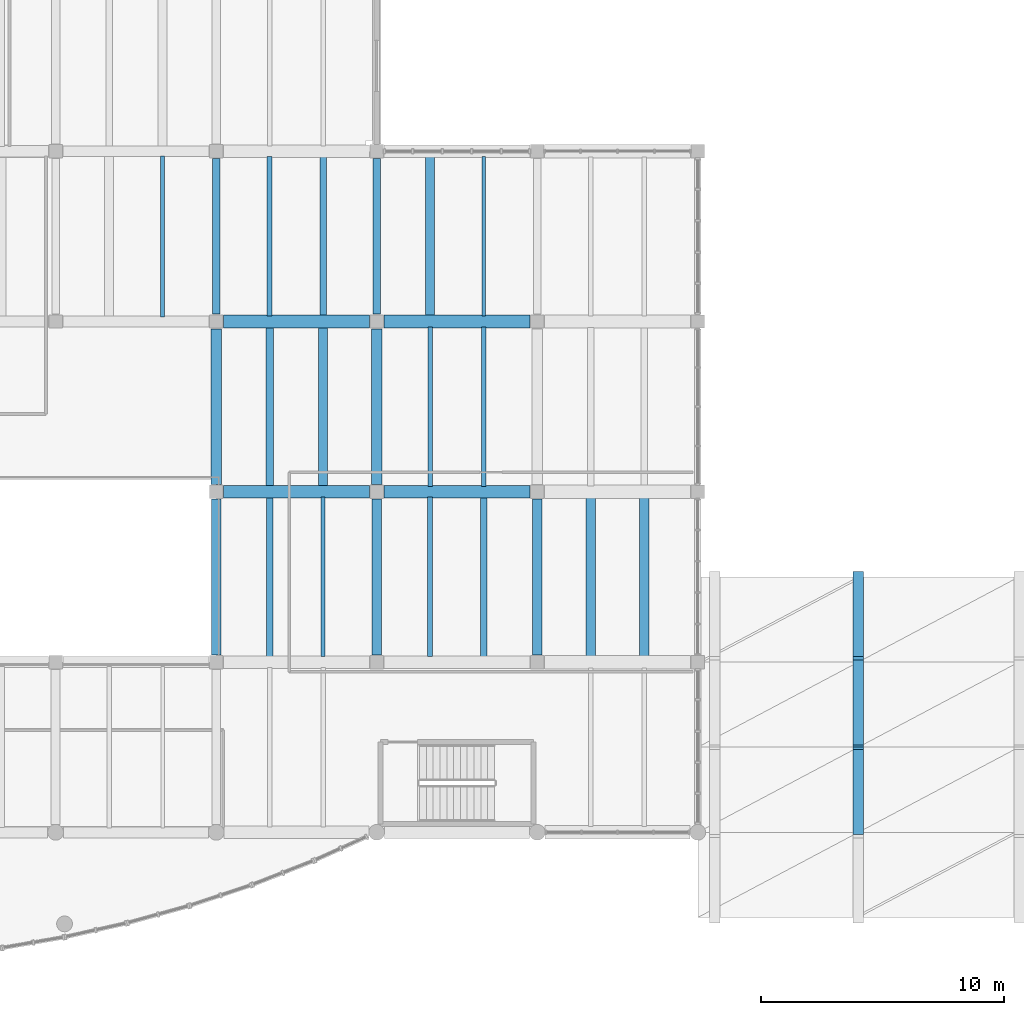
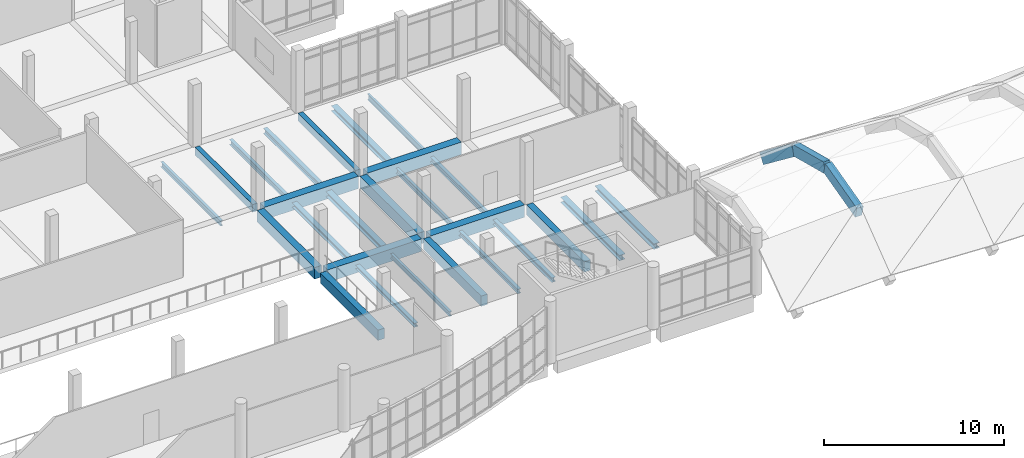
# One storey, part 14 of 65: 29 beams.
"""IFC4 building model written with IfcOpenShell, lengths in metres."""

from ifc_helpers import new_model, si_unit, direction, frame, origin, origin_2d, place, context, subcontext, project, spatial, rectangle, i_section, extrude, material, material_profile, profile_set, type_object, element, save


model = new_model("IFC4")

# Units and contexts
model_context = context("Model", 3, precision=1e-05, world=origin(), true_north=direction((0.0, 1.0)))
body_context = subcontext(model_context, "Body", "Model", "MODEL_VIEW")
ifc_project = project(units=[si_unit("LENGTHUNIT", "METRE"), si_unit("AREAUNIT", "SQUARE_METRE"), si_unit("VOLUMEUNIT", "CUBIC_METRE"), si_unit("PLANEANGLEUNIT", "RADIAN"), si_unit("MASSUNIT", "GRAM", prefix="KILO")], contexts=[model_context])

# Site, building, storey
site_placement = place(None, origin())
site = spatial("IfcSite", under=ifc_project, at=site_placement, CompositionType="ELEMENT")
building_placement = place(site_placement, origin())
building = spatial("IfcBuilding", under=site, at=building_placement, Name="Ciguamira Faculty of Natural Sciences", CompositionType="ELEMENT")
storey_placement = place(building_placement, frame((0.0, 0.0, 12.60009765625)))
storey = spatial("IfcBuildingStorey", under=building, at=storey_placement, Name="L03", CompositionType="ELEMENT", Elevation=12.60009765625)

# Beams
ifc_material_1 = material(Name="Concrete C40/50", Category="concrete")
ifc_material_profile_1 = material_profile(ifc_material_1, rectangle(XDim=0.43994140625, YDim=0.780029296875, at=origin_2d()), Name="RC-BM-440X780")
ifc_profile_set_1 = profile_set([ifc_material_profile_1], Name="Concrete C40/50")
beam_type_1 = type_object("IfcBeamType", Name="RCBeam_BG-06_RC-BM-440X780", PredefinedType="BEAM", material=ifc_profile_set_1)
for number, where, z_axis, x_axis, name in (
    (1, (103.5, 24.300048828125, -0.39013671875), (0.0, 1.0, 0.0), (-1.0, 0.0, 0.0), "L03 girder NS-1285"),
    (2, (110.10009765625, 24.300048828125, -0.39013671875), (0.0, 1.0, 0.0), (-1.0, 0.0, 0.0), "L03 girder NS-1295"),
):
    element("IfcBeam", number, at=place(storey_placement, frame(where, z_axis=z_axis, x_axis=x_axis)), inside=storey, type_object=beam_type_1, Name=name, PredefinedType="BEAM", context=body_context, shape_type="SweptSolid", body=[
        extrude(rectangle(XDim=0.43994140625, YDim=0.780029296875, at=origin_2d()), origin(), (0.0, 0.0, 1.0), 6.39990234375),
    ])
ifc_material_profile_2 = material_profile(ifc_material_1, rectangle(XDim=0.419921875, YDim=0.739990234375, at=origin_2d()), Name="RC-BM-420X740")
ifc_profile_set_2 = profile_set([ifc_material_profile_2], Name="Concrete C40/50")
beam_type_2 = type_object("IfcBeamType", Name="RCBeam_BG-07_RC-BM-420X740", PredefinedType="BEAM", material=ifc_profile_set_2)
for number, where, z_axis, x_axis, name in (
    (3, (129.89990234375, 10.0, 3.131591796875), (0.0, 0.967910580075, 0.251294864609), (-1.0, 0.0, 0.0), "V1 shell RC arch rib 02-03"),
    (4, (129.89990234375, 13.5, 4.040283203125), (0.0, 0.967910580075, -0.251294864609), (-1.0, 0.0, 0.0), "V1 shell RC arch rib 02-04"),
):
    element("IfcBeam", number, at=place(storey_placement, frame(where, z_axis=z_axis, x_axis=x_axis)), inside=storey, type_object=beam_type_2, Name=name, PredefinedType="BEAM", context=body_context, shape_type="SweptSolid", body=[
        extrude(rectangle(XDim=0.419921875, YDim=0.739990234375, at=origin_2d()), origin(), (0.0, 0.0, 1.0), 3.615966796875),
    ])
beam_1_placement = place(storey_placement, frame((129.89990234375, 17.0, 3.131591796875), z_axis=(0.0, 0.793764962208, -0.608224617038), x_axis=(-1.0, 0.0, 0.0)))
element("IfcBeam", 5, at=beam_1_placement, inside=storey, type_object=beam_type_2, Name="V1 shell RC arch rib 02-05", PredefinedType="BEAM", context=body_context, shape_type="SweptSolid", body=[
    extrude(rectangle(XDim=0.419921875, YDim=0.739990234375, at=origin_2d()), origin(), (0.0, 0.0, 1.0), 4.409423828125),
])
ifc_material_profile_3 = material_profile(ifc_material_1, rectangle(XDim=0.39990234375, YDim=0.699951171875, at=origin_2d()), Name="RC-BM-400X700")
ifc_profile_set_3 = profile_set([ifc_material_profile_3], Name="Concrete C40/50")
beam_type_3 = type_object("IfcBeamType", Name="RCBeam_BG-08_RC-BM-400X700", PredefinedType="BEAM", material=ifc_profile_set_3)
for number, where, z_axis, x_axis, name in (
    (6, (103.5, 17.300048828125, -0.35009765625), (0.0, 1.0, 0.0), (-1.0, 0.0, 0.0), "L03 girder NS-1284"),
    (7, (110.10009765625, 17.300048828125, -0.35009765625), (0.0, 1.0, 0.0), (-1.0, 0.0, 0.0), "L03 girder NS-1294"),
    (8, (116.699951171875, 17.300048828125, -0.35009765625), (0.0, 1.0, 0.0), (-1.0, 0.0, 0.0), "L03 girder NS-1307"),
):
    element("IfcBeam", number, at=place(storey_placement, frame(where, z_axis=z_axis, x_axis=x_axis)), inside=storey, type_object=beam_type_3, Name=name, PredefinedType="BEAM", context=body_context, shape_type="SweptSolid", body=[
        extrude(rectangle(XDim=0.39990234375, YDim=0.699951171875, at=origin_2d()), origin(), (0.0, 0.0, 1.0), 6.39990234375),
    ])
ifc_material_profile_4 = material_profile(ifc_material_1, rectangle(XDim=0.300048828125, YDim=0.52001953125, at=origin_2d()), Name="RC-BM-300X520")
ifc_profile_set_4 = profile_set([ifc_material_profile_4], Name="Concrete C40/50")
beam_type_4 = type_object("IfcBeamType", Name="RCBeam_BG-13_RC-BM-300X520", PredefinedType="BEAM", material=ifc_profile_set_4)
for number, where, z_axis, x_axis, name in (
    (9, (103.5, 31.300048828125, -0.260009765625), (0.0, 1.0, 0.0), (-1.0, 0.0, 0.0), "L03 girder NS-1286"),
    (10, (110.10009765625, 31.300048828125, -0.260009765625), (0.0, 1.0, 0.0), (-1.0, 0.0, 0.0), "L03 girder NS-1296"),
):
    element("IfcBeam", number, at=place(storey_placement, frame(where, z_axis=z_axis, x_axis=x_axis)), inside=storey, type_object=beam_type_4, Name=name, PredefinedType="BEAM", context=body_context, shape_type="SweptSolid", body=[
        extrude(rectangle(XDim=0.300048828125, YDim=0.52001953125, at=origin_2d()), origin(), (0.0, 0.0, 1.0), 6.39990234375),
    ])
ifc_material_profile_5 = material_profile(ifc_material_1, rectangle(XDim=0.52001953125, YDim=0.840087890625, at=origin_2d()), Name="RC-TB-520X840")
ifc_profile_set_5 = profile_set([ifc_material_profile_5], Name="Concrete C40/50")
beam_type_5 = type_object("IfcBeamType", Name="RCBeam_TB-02_RC-TB-520X840", PredefinedType="T_BEAM", material=ifc_profile_set_5)
for number, where, z_axis, x_axis, name in (
    (11, (103.800048828125, 24.0, -0.420166015625), (1.0, 0.0, 0.0), (0.0, 1.0, 0.0), "L03 RC girder EW-1066"),
    (12, (110.39990234375, 24.0, -0.420166015625), (1.0, 0.0, 0.0), (0.0, 1.0, 0.0), "L03 RC girder EW-1067"),
    (13, (103.800048828125, 31.0, -0.420166015625), (1.0, 0.0, 0.0), (0.0, 1.0, 0.0), "L03 RC girder EW-1077"),
    (14, (110.39990234375, 31.0, -0.420166015625), (1.0, 0.0, 0.0), (0.0, 1.0, 0.0), "L03 RC girder EW-1078"),
):
    element("IfcBeam", number, at=place(storey_placement, frame(where, z_axis=z_axis, x_axis=x_axis)), inside=storey, type_object=beam_type_5, Name=name, PredefinedType="T_BEAM", context=body_context, shape_type="SweptSolid", body=[
        extrude(rectangle(XDim=0.52001953125, YDim=0.840087890625, at=origin_2d()), origin(), (0.0, 0.0, 1.0), 6.0),
    ])
ifc_material_2 = material(Name="Steel ASTM A992 Grade 50", Category="steel")
ifc_material_profile_6 = material_profile(ifc_material_2, i_section(OverallWidth=0.25390625, OverallDepth=0.25390625, WebThickness=0.008544921875, FlangeThickness=0.01416015625, at=origin_2d()), Name="W10X49")
ifc_profile_set_6 = profile_set([ifc_material_profile_6], Name="Steel ASTM A992 Grade 50")
beam_type_6 = type_object("IfcBeamType", Name="SteelJoist_SJ-03_W10X49", PredefinedType="JOIST", material=ifc_profile_set_6)
beam_2_placement = place(storey_placement, frame((105.699951171875, 17.219970703125, -0.427001953125), z_axis=(0.0, 1.0, 0.0), x_axis=(-1.0, 0.0, 0.0)))
element("IfcBeam", 15, at=beam_2_placement, inside=storey, type_object=beam_type_6, Name="L03 composite steel joist 01206", PredefinedType="JOIST", context=body_context, shape_type="SweptSolid", body=[
    extrude(i_section(OverallWidth=0.25390625, OverallDepth=0.25390625, WebThickness=0.008544921875, FlangeThickness=0.01416015625, at=origin_2d()), origin(), (0.0, 0.0, 1.0), 6.56005859375),
])
ifc_material_profile_7 = material_profile(ifc_material_2, i_section(OverallWidth=0.164794921875, OverallDepth=0.309814453125, WebThickness=0.005859375, FlangeThickness=0.009765625, at=origin_2d()), Name="W12X26")
ifc_profile_set_7 = profile_set([ifc_material_profile_7], Name="Steel ASTM A992 Grade 50")
beam_type_7 = type_object("IfcBeamType", Name="SteelJoist_SJ-04_W12X26", PredefinedType="JOIST", material=ifc_profile_set_7)
beam_3_placement = place(storey_placement, frame((107.89990234375, 17.219970703125, -0.455078125), z_axis=(0.0, 1.0, 0.0), x_axis=(-1.0, 0.0, 0.0)))
element("IfcBeam", 16, at=beam_3_placement, inside=storey, type_object=beam_type_7, Name="L03 composite steel joist 01207", PredefinedType="JOIST", context=body_context, shape_type="SweptSolid", body=[
    extrude(i_section(OverallWidth=0.164794921875, OverallDepth=0.309814453125, WebThickness=0.005859375, FlangeThickness=0.009765625, at=origin_2d()), origin(), (0.0, 0.0, 1.0), 6.56005859375),
])
ifc_material_profile_8 = material_profile(ifc_material_2, i_section(OverallWidth=0.20458984375, OverallDepth=0.307373046875, WebThickness=0.008544921875, FlangeThickness=0.0146484375, at=origin_2d()), Name="W12X45")
ifc_profile_set_8 = profile_set([ifc_material_profile_8], Name="Steel ASTM A992 Grade 50")
beam_type_8 = type_object("IfcBeamType", Name="SteelJoist_SJ-06_W12X45", PredefinedType="JOIST", material=ifc_profile_set_8)
beam_4_placement = place(storey_placement, frame((112.300048828125, 17.219970703125, -0.453857421875), z_axis=(0.0, 1.0, 0.0), x_axis=(-1.0, 0.0, 0.0)))
element("IfcBeam", 17, at=beam_4_placement, inside=storey, type_object=beam_type_8, Name="L03 composite steel joist 01231", PredefinedType="JOIST", context=body_context, shape_type="SweptSolid", body=[
    extrude(i_section(OverallWidth=0.20458984375, OverallDepth=0.307373046875, WebThickness=0.008544921875, FlangeThickness=0.0146484375, at=origin_2d()), origin(), (0.0, 0.0, 1.0), 6.56005859375),
])
ifc_material_profile_9 = material_profile(ifc_material_2, i_section(OverallWidth=0.25390625, OverallDepth=0.307373046875, WebThickness=0.0087890625, FlangeThickness=0.0146484375, at=origin_2d()), Name="W12X53")
ifc_profile_set_9 = profile_set([ifc_material_profile_9], Name="Steel ASTM A992 Grade 50")
beam_type_9 = type_object("IfcBeamType", Name="SteelJoist_SJ-07_W12X53", PredefinedType="JOIST", material=ifc_profile_set_9)
beam_5_placement = place(storey_placement, frame((114.5, 17.219970703125, -0.453857421875), z_axis=(0.0, 1.0, 0.0), x_axis=(-1.0, 0.0, 0.0)))
element("IfcBeam", 18, at=beam_5_placement, inside=storey, type_object=beam_type_9, Name="L03 composite steel joist 01232", PredefinedType="JOIST", context=body_context, shape_type="SweptSolid", body=[
    extrude(i_section(OverallWidth=0.25390625, OverallDepth=0.307373046875, WebThickness=0.0087890625, FlangeThickness=0.0146484375, at=origin_2d()), origin(), (0.0, 0.0, 1.0), 6.56005859375),
])
ifc_material_profile_10 = material_profile(ifc_material_2, i_section(OverallWidth=0.3046875, OverallDepth=0.307373046875, WebThickness=0.010009765625, FlangeThickness=0.015380859375, at=origin_2d()), Name="W12X65")
ifc_profile_set_10 = profile_set([ifc_material_profile_10], Name="Steel ASTM A992 Grade 50")
beam_type_10 = type_object("IfcBeamType", Name="SteelJoist_SJ-08_W12X65", PredefinedType="JOIST", material=ifc_profile_set_10)
beam_6_placement = place(storey_placement, frame((105.699951171875, 24.219970703125, -0.453857421875), z_axis=(0.0, 1.0, 0.0), x_axis=(-1.0, 0.0, 0.0)))
element("IfcBeam", 19, at=beam_6_placement, inside=storey, type_object=beam_type_10, Name="L03 composite steel joist 01208", PredefinedType="JOIST", context=body_context, shape_type="SweptSolid", body=[
    extrude(i_section(OverallWidth=0.3046875, OverallDepth=0.307373046875, WebThickness=0.010009765625, FlangeThickness=0.015380859375, at=origin_2d()), origin(), (0.0, 0.0, 1.0), 6.56005859375),
])
ifc_material_profile_11 = material_profile(ifc_material_2, i_section(OverallWidth=0.370849609375, OverallDepth=0.36328125, WebThickness=0.013427734375, FlangeThickness=0.021728515625, at=origin_2d()), Name="W14X109")
ifc_profile_set_11 = profile_set([ifc_material_profile_11], Name="Steel ASTM A992 Grade 50")
beam_type_11 = type_object("IfcBeamType", Name="SteelJoist_SJ-09_W14X109", PredefinedType="JOIST", material=ifc_profile_set_11)
beam_7_placement = place(storey_placement, frame((107.89990234375, 24.219970703125, -0.481689453125), z_axis=(0.0, 1.0, 0.0), x_axis=(-1.0, 0.0, 0.0)))
element("IfcBeam", 20, at=beam_7_placement, inside=storey, type_object=beam_type_11, Name="L03 composite steel joist 01209", PredefinedType="JOIST", context=body_context, shape_type="SweptSolid", body=[
    extrude(i_section(OverallWidth=0.370849609375, OverallDepth=0.36328125, WebThickness=0.013427734375, FlangeThickness=0.021728515625, at=origin_2d()), origin(), (0.0, 0.0, 1.0), 6.56005859375),
])
beam_8_placement = place(storey_placement, frame((118.89990234375, 17.235107421875, -0.481689453125), z_axis=(0.0, 1.0, 0.0), x_axis=(-1.0, 0.0, 0.0)))
element("IfcBeam", 21, at=beam_8_placement, inside=storey, type_object=beam_type_11, Name="L03 composite steel joist 01263", PredefinedType="JOIST", context=body_context, shape_type="SweptSolid", body=[
    extrude(i_section(OverallWidth=0.370849609375, OverallDepth=0.36328125, WebThickness=0.013427734375, FlangeThickness=0.021728515625, at=origin_2d()), origin(), (0.0, 0.0, 1.0), 6.52978515625),
])
ifc_material_profile_12 = material_profile(ifc_material_2, i_section(OverallWidth=0.373291015625, OverallDepth=0.373291015625, WebThickness=0.016357421875, FlangeThickness=0.026123046875, at=origin_2d()), Name="W14X132")
ifc_profile_set_12 = profile_set([ifc_material_profile_12], Name="Steel ASTM A992 Grade 50")
beam_type_12 = type_object("IfcBeamType", Name="SteelJoist_SJ-10_W14X132", PredefinedType="JOIST", material=ifc_profile_set_12)
beam_9_placement = place(storey_placement, frame((121.10009765625, 17.235107421875, -0.48681640625), z_axis=(0.0, 1.0, 0.0), x_axis=(-1.0, 0.0, 0.0)))
element("IfcBeam", 22, at=beam_9_placement, inside=storey, type_object=beam_type_12, Name="L03 composite steel joist 01264", PredefinedType="JOIST", context=body_context, shape_type="SweptSolid", body=[
    extrude(i_section(OverallWidth=0.373291015625, OverallDepth=0.373291015625, WebThickness=0.016357421875, FlangeThickness=0.026123046875, at=origin_2d()), origin(), (0.0, 0.0, 1.0), 6.52978515625),
])
ifc_material_profile_13 = material_profile(ifc_material_2, i_section(OverallWidth=0.1708984375, OverallDepth=0.3505859375, WebThickness=0.0068359375, FlangeThickness=0.009765625, at=origin_2d()), Name="W14X30")
ifc_profile_set_13 = profile_set([ifc_material_profile_13], Name="Steel ASTM A992 Grade 50")
beam_type_13 = type_object("IfcBeamType", Name="SteelJoist_SJ-11_W14X30", PredefinedType="JOIST", material=ifc_profile_set_13)
beam_10_placement = place(storey_placement, frame((101.300048828125, 31.18505859375, -0.475341796875), z_axis=(0.0, 1.0, 0.0), x_axis=(-1.0, 0.0, 0.0)))
element("IfcBeam", 23, at=beam_10_placement, inside=storey, type_object=beam_type_13, Name="L03 composite steel joist 01182", PredefinedType="JOIST", context=body_context, shape_type="SweptSolid", body=[
    extrude(i_section(OverallWidth=0.1708984375, OverallDepth=0.3505859375, WebThickness=0.0068359375, FlangeThickness=0.009765625, at=origin_2d()), origin(), (0.0, 0.0, 1.0), 6.6298828125),
])
beam_11_placement = place(storey_placement, frame((112.300048828125, 24.219970703125, -0.475341796875), z_axis=(0.0, 1.0, 0.0), x_axis=(-1.0, 0.0, 0.0)))
element("IfcBeam", 24, at=beam_11_placement, inside=storey, type_object=beam_type_13, Name="L03 composite steel joist 01233", PredefinedType="JOIST", context=body_context, shape_type="SweptSolid", body=[
    extrude(i_section(OverallWidth=0.1708984375, OverallDepth=0.3505859375, WebThickness=0.0068359375, FlangeThickness=0.009765625, at=origin_2d()), origin(), (0.0, 0.0, 1.0), 6.56005859375),
])
ifc_material_profile_14 = material_profile(ifc_material_2, i_section(OverallWidth=0.203125, OverallDepth=0.347900390625, WebThickness=0.0078125, FlangeThickness=0.013427734375, at=origin_2d()), Name="W14X43")
ifc_profile_set_14 = profile_set([ifc_material_profile_14], Name="Steel ASTM A992 Grade 50")
beam_type_14 = type_object("IfcBeamType", Name="SteelJoist_SJ-12_W14X43", PredefinedType="JOIST", material=ifc_profile_set_14)
beam_12_placement = place(storey_placement, frame((114.5, 24.219970703125, -0.47412109375), z_axis=(0.0, 1.0, 0.0), x_axis=(-1.0, 0.0, 0.0)))
element("IfcBeam", 25, at=beam_12_placement, inside=storey, type_object=beam_type_14, Name="L03 composite steel joist 01234", PredefinedType="JOIST", context=body_context, shape_type="SweptSolid", body=[
    extrude(i_section(OverallWidth=0.203125, OverallDepth=0.347900390625, WebThickness=0.0078125, FlangeThickness=0.013427734375, at=origin_2d()), origin(), (0.0, 0.0, 1.0), 6.56005859375),
])
ifc_material_profile_15 = material_profile(ifc_material_2, i_section(OverallWidth=0.204833984375, OverallDepth=0.35302734375, WebThickness=0.00927734375, FlangeThickness=0.016845703125, at=origin_2d()), Name="W14X53")
ifc_profile_set_15 = profile_set([ifc_material_profile_15], Name="Steel ASTM A992 Grade 50")
beam_type_15 = type_object("IfcBeamType", Name="SteelJoist_SJ-13_W14X53", PredefinedType="JOIST", material=ifc_profile_set_15)
beam_13_placement = place(storey_placement, frame((105.699951171875, 31.219970703125, -0.4765625), z_axis=(0.0, 1.0, 0.0), x_axis=(-1.0, 0.0, 0.0)))
element("IfcBeam", 26, at=beam_13_placement, inside=storey, type_object=beam_type_15, Name="L03 composite steel joist 01210", PredefinedType="JOIST", context=body_context, shape_type="SweptSolid", body=[
    extrude(i_section(OverallWidth=0.204833984375, OverallDepth=0.35302734375, WebThickness=0.00927734375, FlangeThickness=0.016845703125, at=origin_2d()), origin(), (0.0, 0.0, 1.0), 6.56005859375),
])
ifc_material_profile_16 = material_profile(ifc_material_2, i_section(OverallWidth=0.25390625, OverallDepth=0.355712890625, WebThickness=0.010498046875, FlangeThickness=0.018310546875, at=origin_2d()), Name="W14X68")
ifc_profile_set_16 = profile_set([ifc_material_profile_16], Name="Steel ASTM A992 Grade 50")
beam_type_16 = type_object("IfcBeamType", Name="SteelJoist_SJ-14_W14X68", PredefinedType="JOIST", material=ifc_profile_set_16)
beam_14_placement = place(storey_placement, frame((107.89990234375, 31.219970703125, -0.477783203125), z_axis=(0.0, 1.0, 0.0), x_axis=(-1.0, 0.0, 0.0)))
element("IfcBeam", 27, at=beam_14_placement, inside=storey, type_object=beam_type_16, Name="L03 composite steel joist 01211", PredefinedType="JOIST", context=body_context, shape_type="SweptSolid", body=[
    extrude(i_section(OverallWidth=0.25390625, OverallDepth=0.355712890625, WebThickness=0.010498046875, FlangeThickness=0.018310546875, at=origin_2d()), origin(), (0.0, 0.0, 1.0), 6.56005859375),
])
ifc_material_profile_17 = material_profile(ifc_material_2, i_section(OverallWidth=0.368408203125, OverallDepth=0.355712890625, WebThickness=0.01123046875, FlangeThickness=0.01806640625, at=origin_2d()), Name="W14X90")
ifc_profile_set_17 = profile_set([ifc_material_profile_17], Name="Steel ASTM A992 Grade 50")
beam_type_17 = type_object("IfcBeamType", Name="SteelJoist_SJ-16_W14X90", PredefinedType="JOIST", material=ifc_profile_set_17)
beam_15_placement = place(storey_placement, frame((112.300048828125, 31.219970703125, -0.477783203125), z_axis=(0.0, 1.0, 0.0), x_axis=(-1.0, 0.0, 0.0)))
element("IfcBeam", 28, at=beam_15_placement, inside=storey, type_object=beam_type_17, Name="L03 composite steel joist 01235", PredefinedType="JOIST", context=body_context, shape_type="SweptSolid", body=[
    extrude(i_section(OverallWidth=0.368408203125, OverallDepth=0.355712890625, WebThickness=0.01123046875, FlangeThickness=0.01806640625, at=origin_2d()), origin(), (0.0, 0.0, 1.0), 6.56005859375),
])
ifc_material_profile_18 = material_profile(ifc_material_2, i_section(OverallWidth=0.140380859375, OverallDepth=0.40380859375, WebThickness=0.007080078125, FlangeThickness=0.01123046875, at=origin_2d()), Name="W16X31")
ifc_profile_set_18 = profile_set([ifc_material_profile_18], Name="Steel ASTM A992 Grade 50")
beam_type_18 = type_object("IfcBeamType", Name="SteelJoist_SJ-17_W16X31", PredefinedType="JOIST", material=ifc_profile_set_18)
beam_16_placement = place(storey_placement, frame((114.5, 31.219970703125, -0.501953125), z_axis=(0.0, 1.0, 0.0), x_axis=(-1.0, 0.0, 0.0)))
element("IfcBeam", 29, at=beam_16_placement, inside=storey, type_object=beam_type_18, Name="L03 composite steel joist 01236", PredefinedType="JOIST", context=body_context, shape_type="SweptSolid", body=[
    extrude(i_section(OverallWidth=0.140380859375, OverallDepth=0.40380859375, WebThickness=0.007080078125, FlangeThickness=0.01123046875, at=origin_2d()), origin(), (0.0, 0.0, 1.0), 6.56005859375),
])

save(model, "model.ifc")
